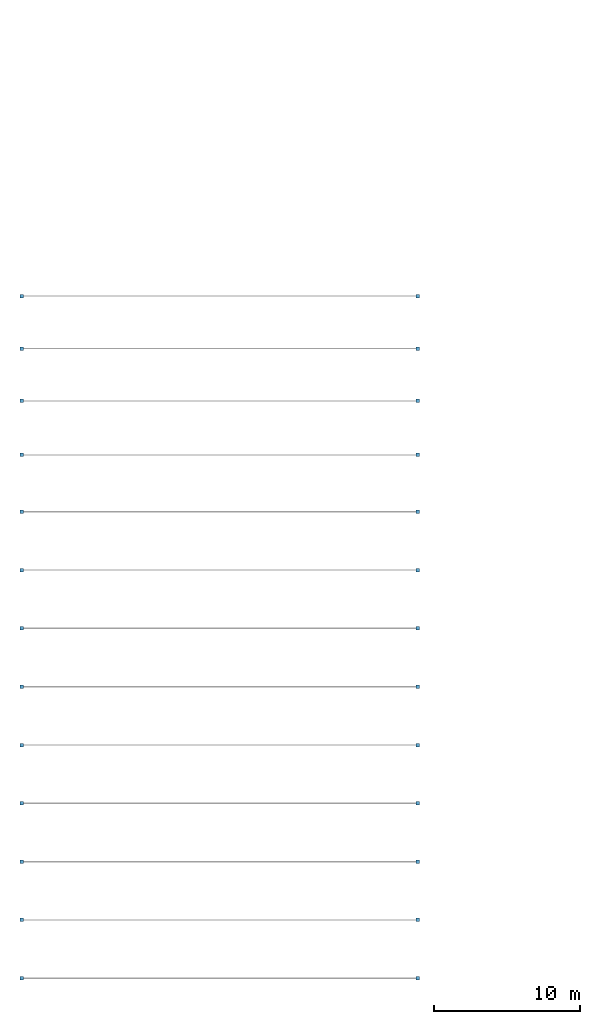
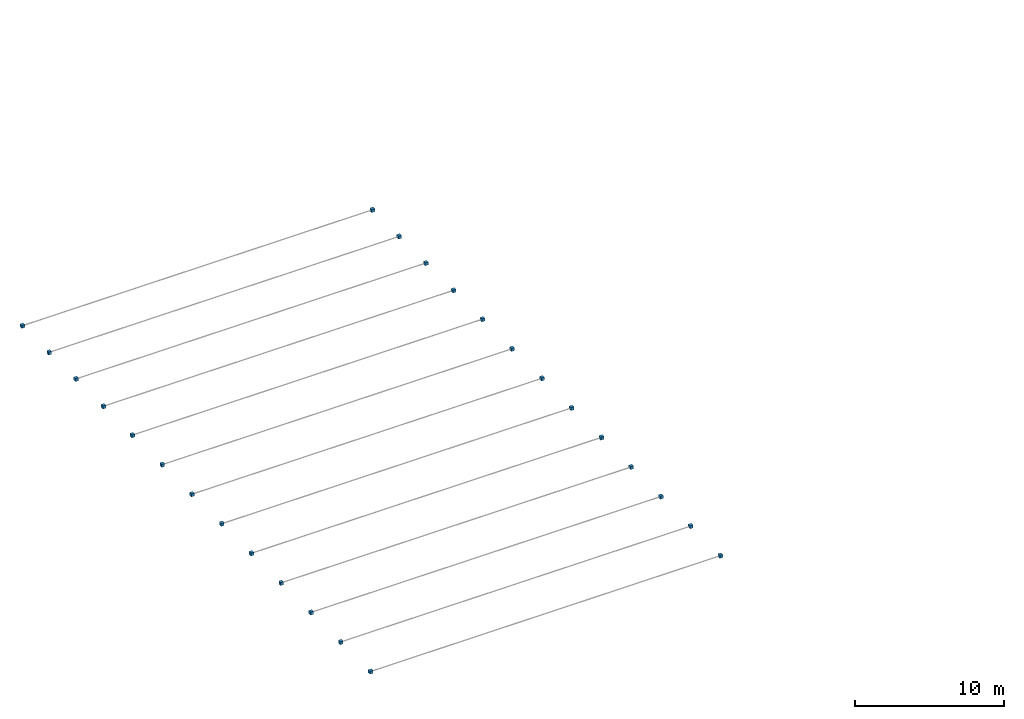
# One storey, part 3 of 4: 26 discrete accessories.
"""IFC4 building model written with IfcOpenShell, lengths in metres."""

from ifc_helpers import new_model, si_unit, direction, frame, origin, origin_2d, place, context, subcontext, project, spatial, rectangle, extrude, material, type_object, element, save


model = new_model("IFC4")

# Units and contexts
model_context = context("Model", 3, precision=1e-05, world=origin(), true_north=direction((0.0, 1.0)))
body_context = subcontext(model_context, "Body", "Model", "MODEL_VIEW")
ifc_project = project(units=[si_unit("LENGTHUNIT", "METRE"), si_unit("AREAUNIT", "SQUARE_METRE"), si_unit("VOLUMEUNIT", "CUBIC_METRE"), si_unit("PLANEANGLEUNIT", "RADIAN"), si_unit("MASSUNIT", "GRAM", prefix="KILO")], contexts=[model_context])

# Site, building, storey
site_placement = place(None, origin())
site = spatial("IfcSite", under=ifc_project, at=site_placement, CompositionType="ELEMENT")
building_placement = place(site_placement, origin())
building = spatial("IfcBuilding", under=site, at=building_placement, Name="Kharva Crest Polytechnic", CompositionType="ELEMENT")
storey_placement = place(building_placement, frame((0.0, 0.0, 30.0)))
storey = spatial("IfcBuildingStorey", under=building, at=storey_placement, Name="RF", CompositionType="ELEMENT", Elevation=30.0)

# Discrete accessories
ifc_material = material(Name="Steel S355", Category="steel")
discrete_accessory_type = type_object("IfcDiscreteAccessoryType", Name="ACC-SHOE-BF240", PredefinedType="SHOE", material=ifc_material)
for number, where, z_axis, x_axis, name in (
    (1, (2.419921875, 42.800048828125, -18.60791015625), (0.0, 0.0, 1.0), (1.0, 0.0, 0.0), "Purlin End Shoe 1.1"),
    (2, (29.580078125, 42.800048828125, -18.60791015625), (0.0, 0.0, 1.0), (1.0, 0.0, 0.0), "Purlin End Shoe 1.2"),
    (3, (2.419921875, 46.800048828125, -18.60791015625), (0.0, 0.0, 1.0), (1.0, 0.0, 0.0), "Purlin End Shoe 2.1"),
    (4, (29.580078125, 46.800048828125, -18.60791015625), (0.0, 0.0, 1.0), (1.0, 0.0, 0.0), "Purlin End Shoe 2.2"),
    (5, (2.419921875, 50.800048828125, -18.60791015625), (0.0, 0.0, 1.0), (1.0, 0.0, 0.0), "Purlin End Shoe 3.1"),
    (6, (29.580078125, 50.800048828125, -18.60791015625), (0.0, 0.0, 1.0), (1.0, 0.0, 0.0), "Purlin End Shoe 3.2"),
    (7, (2.419921875, 54.800048828125, -18.60791015625), (0.0, 0.0, 1.0), (1.0, 0.0, 0.0), "Purlin End Shoe 4.1"),
    (8, (29.580078125, 54.800048828125, -18.60791015625), (0.0, 0.0, 1.0), (1.0, 0.0, 0.0), "Purlin End Shoe 4.2"),
    (9, (2.419921875, 58.800048828125, -18.60791015625), (0.0, 0.0, 1.0), (1.0, 0.0, 0.0), "Purlin End Shoe 5.1"),
    (10, (29.580078125, 58.800048828125, -18.60791015625), (0.0, 0.0, 1.0), (1.0, 0.0, 0.0), "Purlin End Shoe 5.2"),
    (11, (2.419921875, 62.800048828125, -18.60791015625), (0.0, 0.0, 1.0), (1.0, 0.0, 0.0), "Purlin End Shoe 6.1"),
    (12, (29.580078125, 62.800048828125, -18.60791015625), (0.0, 0.0, 1.0), (1.0, 0.0, 0.0), "Purlin End Shoe 6.2"),
    (13, (2.419921875, 66.800048828125, -18.60791015625), (0.0, 0.0, 1.0), (1.0, 0.0, 0.0), "Purlin End Shoe 7.1"),
    (14, (29.580078125, 66.800048828125, -18.60791015625), (0.0, 0.0, 1.0), (1.0, 0.0, 0.0), "Purlin End Shoe 7.2"),
    (15, (2.419921875, 70.800048828125, -18.60791015625), (0.0, 0.0, 1.0), (1.0, 0.0, 0.0), "Purlin End Shoe 8.1"),
    (16, (29.580078125, 70.800048828125, -18.60791015625), (0.0, 0.0, 1.0), (1.0, 0.0, 0.0), "Purlin End Shoe 8.2"),
    (17, (2.419921875, 74.800048828125, -18.60791015625), (0.0, 0.0, 1.0), (1.0, 0.0, 0.0), "Purlin End Shoe 9.1"),
    (18, (29.580078125, 74.800048828125, -18.60791015625), (0.0, 0.0, 1.0), (1.0, 0.0, 0.0), "Purlin End Shoe 9.2"),
    (19, (2.419921875, 78.699951171875, -18.60791015625), (0.0, 0.0, 1.0), (1.0, 0.0, 0.0), "Purlin End Shoe 10.1"),
    (20, (29.580078125, 78.699951171875, -18.60791015625), (0.0, 0.0, 1.0), (1.0, 0.0, 0.0), "Purlin End Shoe 10.2"),
    (21, (2.419921875, 82.39990234375, -18.60791015625), (0.0, 0.0, 1.0), (1.0, 0.0, 0.0), "Purlin End Shoe 11.1"),
    (22, (29.580078125, 82.39990234375, -18.60791015625), (0.0, 0.0, 1.0), (1.0, 0.0, 0.0), "Purlin End Shoe 11.2"),
    (23, (2.419921875, 86.0, -18.60791015625), (0.0, 0.0, 1.0), (1.0, 0.0, 0.0), "Purlin End Shoe 12.1"),
    (24, (29.580078125, 86.0, -18.60791015625), (0.0, 0.0, 1.0), (1.0, 0.0, 0.0), "Purlin End Shoe 12.2"),
    (25, (2.419921875, 89.60009765625, -18.60791015625), (0.0, 0.0, 1.0), (1.0, 0.0, 0.0), "Purlin End Shoe 13.1"),
    (26, (29.580078125, 89.60009765625, -18.60791015625), (0.0, 0.0, 1.0), (1.0, 0.0, 0.0), "Purlin End Shoe 13.2"),
):
    element("IfcDiscreteAccessory", number, at=place(storey_placement, frame(where, z_axis=z_axis, x_axis=x_axis)), inside=storey, type_object=discrete_accessory_type, Name=name, PredefinedType="SHOE", context=body_context, shape_type="SweptSolid", body=[
        extrude(rectangle(XDim=0.239990234375, YDim=0.239990234375, at=origin_2d()), origin(), (0.0, 0.0, 1.0), 0.239990234375),
    ])

save(model, "model.ifc")
